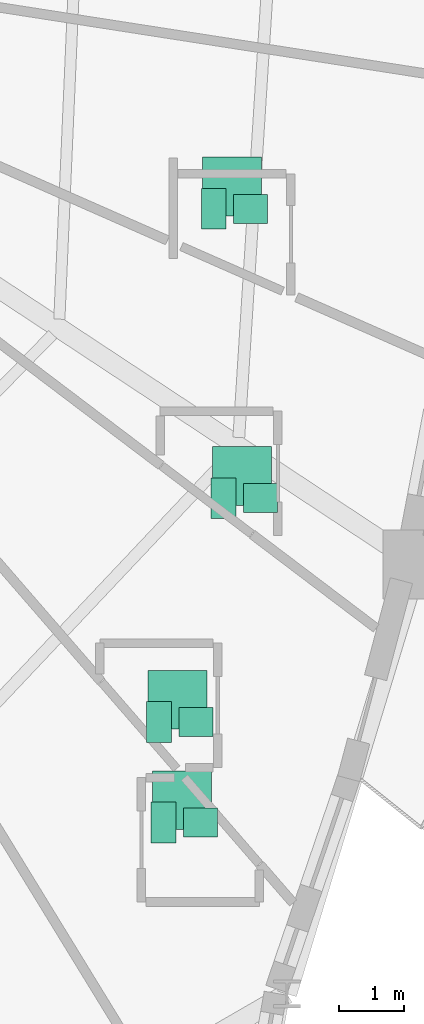
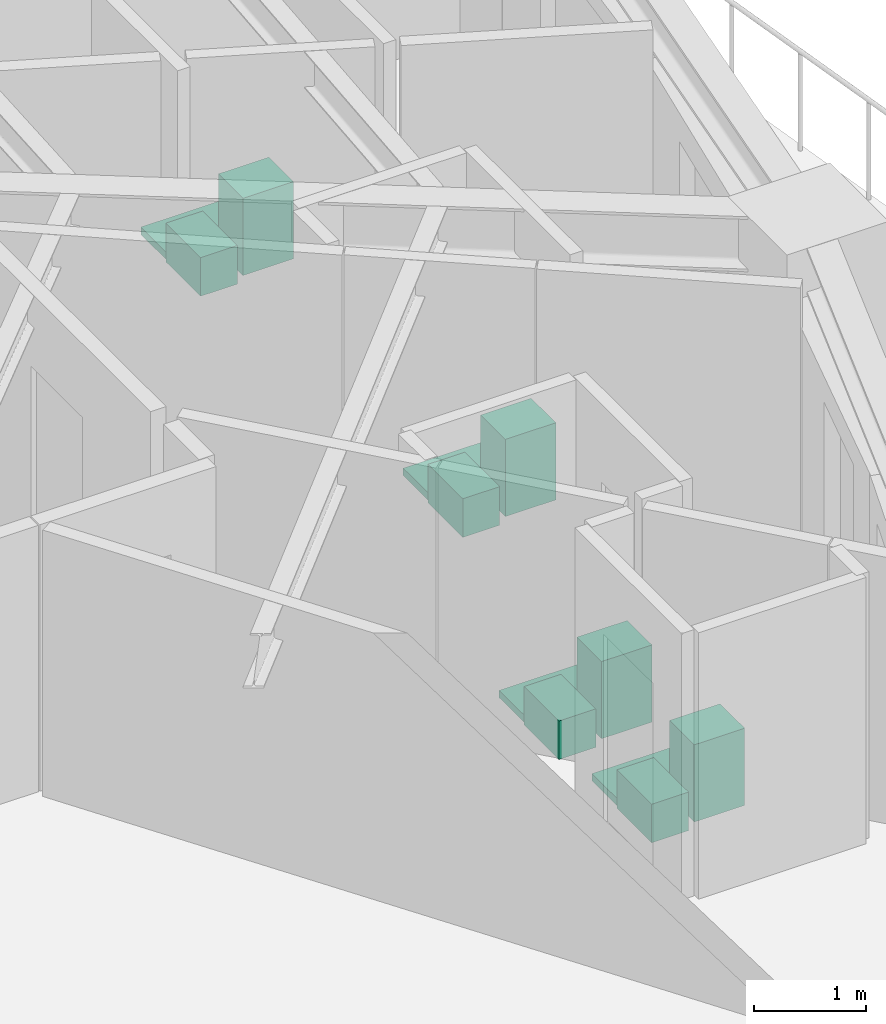
# One storey, part 13 of 13: 12 sanitary terminals.
"""IFC4 building model written with IfcOpenShell, lengths in metres."""

from ifc_helpers import new_model, si_unit, direction, frame, origin, origin_2d, place, context, subcontext, project, spatial, rectangle, extrude, source, transform, mapped, material, type_object, element, save


model = new_model("IFC4")

# Units and contexts
model_context = context("Model", 3, precision=1e-05, world=origin(), true_north=direction((0.0, 1.0)))
body_context = subcontext(model_context, "Body", "Model", "MODEL_VIEW")
ifc_project = project(units=[si_unit("LENGTHUNIT", "METRE"), si_unit("AREAUNIT", "SQUARE_METRE"), si_unit("VOLUMEUNIT", "CUBIC_METRE"), si_unit("PLANEANGLEUNIT", "RADIAN"), si_unit("MASSUNIT", "GRAM", prefix="KILO")], contexts=[model_context])

# Site, building, storey
site_placement = place(None, origin())
site = spatial("IfcSite", under=ifc_project, at=site_placement, CompositionType="ELEMENT")
building_placement = place(site_placement, origin())
building = spatial("IfcBuilding", under=site, at=building_placement, Name="Qafzar Sky-Pleat Residences", CompositionType="ELEMENT")
storey_placement = place(building_placement, frame((0.0, 0.0, 62.199951171875)))
storey = spatial("IfcBuildingStorey", under=building, at=storey_placement, Name="L18", CompositionType="ELEMENT", Elevation=62.199951171875)

# Sanitary terminals
ifc_material_1 = material(Name="Vitreous china sanitaryware")
sanitary_terminal_type_1 = type_object("IfcSanitaryTerminalType", Name="SAN-WC-PAN", PredefinedType="TOILETPAN", material=ifc_material_1)
shared_shape_1 = source(origin(), body_context, "Body", "SweptSolid", [
    extrude(rectangle(XDim=0.3798828125, YDim=0.6201171875, at=origin_2d()), origin(), (0.0, 0.0, 1.0), 0.419921875),
])
for number, where, z_axis, x_axis, name in (
    (1, (41.378662109375, 12.22705078125, 0.0), (0.0, 0.0, 1.0), (1.0, 0.0, 0.0), "L18 En-suite Bathroom 1 WC Pan"),
    (2, (41.309326171875, 13.76171875, 0.0), (0.0, 0.0, 1.0), (1.0, 0.0, 0.0), "L18 En-suite Bathroom 2 WC Pan"),
    (3, (42.294677734375, 17.181884765625, 0.0), (0.0, 0.0, 1.0), (1.0, 0.0, 0.0), "L18 En-suite Bathroom 3 WC Pan"),
    (4, (42.14306640625, 21.597900390625, 0.0), (0.0, 0.0, 1.0), (1.0, 0.0, 0.0), "L18 En-suite Bathroom 4 WC Pan"),
):
    element("IfcSanitaryTerminal", number, at=place(storey_placement, frame(where, z_axis=z_axis, x_axis=x_axis)), inside=storey, type_object=sanitary_terminal_type_1, Name=name, PredefinedType="TOILETPAN", context=body_context, shape_type="MappedRepresentation", body=[
        mapped(shared_shape_1, transform((0.0, 0.0, 0.0), x_axis=(1.0, 0.0, 0.0), y_axis=(0.0, 1.0, 0.0), z_axis=(0.0, 0.0, 1.0), scale=1.0)),
    ])
sanitary_terminal_type_2 = type_object("IfcSanitaryTerminalType", Name="SAN-BASIN", PredefinedType="WASHHANDBASIN", material=ifc_material_1)
shared_shape_2 = source(origin(), body_context, "Body", "SweptSolid", [
    extrude(rectangle(XDim=0.52001953125, YDim=0.43994140625, at=origin_2d()), origin(), (0.0, 0.0, 1.0), 0.840087890625),
])
for number, where, z_axis, x_axis, name in (
    (5, (41.938720703125, 12.22705078125, 0.0), (0.0, 0.0, 1.0), (1.0, 0.0, 0.0), "L18 En-suite Bathroom 1 Pedestal Washbasin"),
    (6, (41.869384765625, 13.76171875, 0.0), (0.0, 0.0, 1.0), (1.0, 0.0, 0.0), "L18 En-suite Bathroom 2 Pedestal Washbasin"),
    (7, (42.8544921875, 17.181884765625, 0.0), (0.0, 0.0, 1.0), (1.0, 0.0, 0.0), "L18 En-suite Bathroom 3 Pedestal Washbasin"),
    (8, (42.702880859375, 21.597900390625, 0.0), (0.0, 0.0, 1.0), (1.0, 0.0, 0.0), "L18 En-suite Bathroom 4 Pedestal Washbasin"),
):
    element("IfcSanitaryTerminal", number, at=place(storey_placement, frame(where, z_axis=z_axis, x_axis=x_axis)), inside=storey, type_object=sanitary_terminal_type_2, Name=name, PredefinedType="WASHHANDBASIN", context=body_context, shape_type="MappedRepresentation", body=[
        mapped(shared_shape_2, transform((0.0, 0.0, 0.0), x_axis=(1.0, 0.0, 0.0), y_axis=(0.0, 1.0, 0.0), z_axis=(0.0, 0.0, 1.0), scale=1.0)),
    ])
ifc_material_2 = material(Name="Vitreous china and acrylic tray")
sanitary_terminal_type_3 = type_object("IfcSanitaryTerminalType", Name="SAN-SHOWER", PredefinedType="SHOWER", material=ifc_material_2)
shared_shape_3 = source(origin(), body_context, "Body", "SweptSolid", [
    extrude(rectangle(XDim=0.89990234375, YDim=0.89990234375, at=origin_2d()), origin(), (0.0, 0.0, 1.0), 0.080078125),
])
for number, where, z_axis, x_axis, name in (
    (9, (41.65869140625, 12.567138671875, 0.0), (0.0, 0.0, 1.0), (1.0, 0.0, 0.0), "L18 En-suite Bathroom 1 Walk-In Shower"),
    (10, (41.58935546875, 14.101806640625, 0.0), (0.0, 0.0, 1.0), (1.0, 0.0, 0.0), "L18 En-suite Bathroom 2 Walk-In Shower"),
    (11, (42.57470703125, 17.521728515625, 0.0), (0.0, 0.0, 1.0), (1.0, 0.0, 0.0), "L18 En-suite Bathroom 3 Walk-In Shower"),
    (12, (42.423095703125, 21.93798828125, 0.0), (0.0, 0.0, 1.0), (1.0, 0.0, 0.0), "L18 En-suite Bathroom 4 Walk-In Shower"),
):
    element("IfcSanitaryTerminal", number, at=place(storey_placement, frame(where, z_axis=z_axis, x_axis=x_axis)), inside=storey, type_object=sanitary_terminal_type_3, Name=name, PredefinedType="SHOWER", context=body_context, shape_type="MappedRepresentation", body=[
        mapped(shared_shape_3, transform((0.0, 0.0, 0.0), x_axis=(1.0, 0.0, 0.0), y_axis=(0.0, 1.0, 0.0), z_axis=(0.0, 0.0, 1.0), scale=1.0)),
    ])

save(model, "model.ifc")
